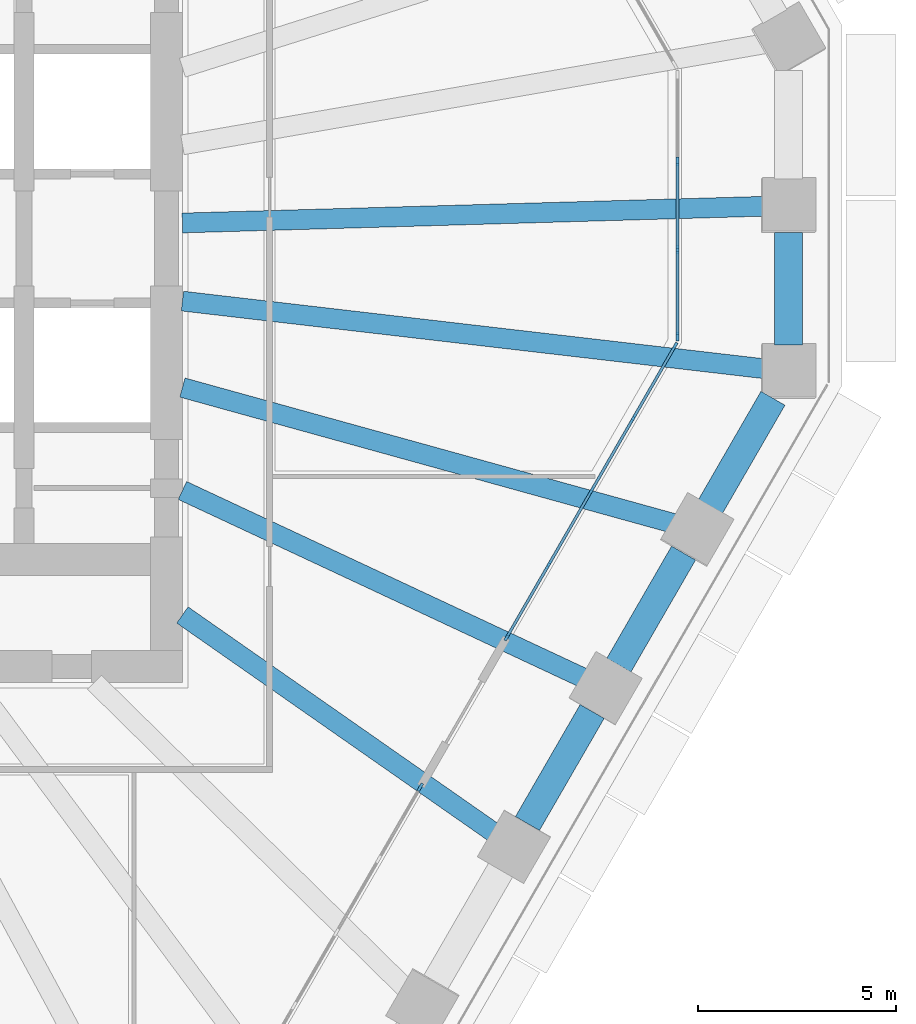
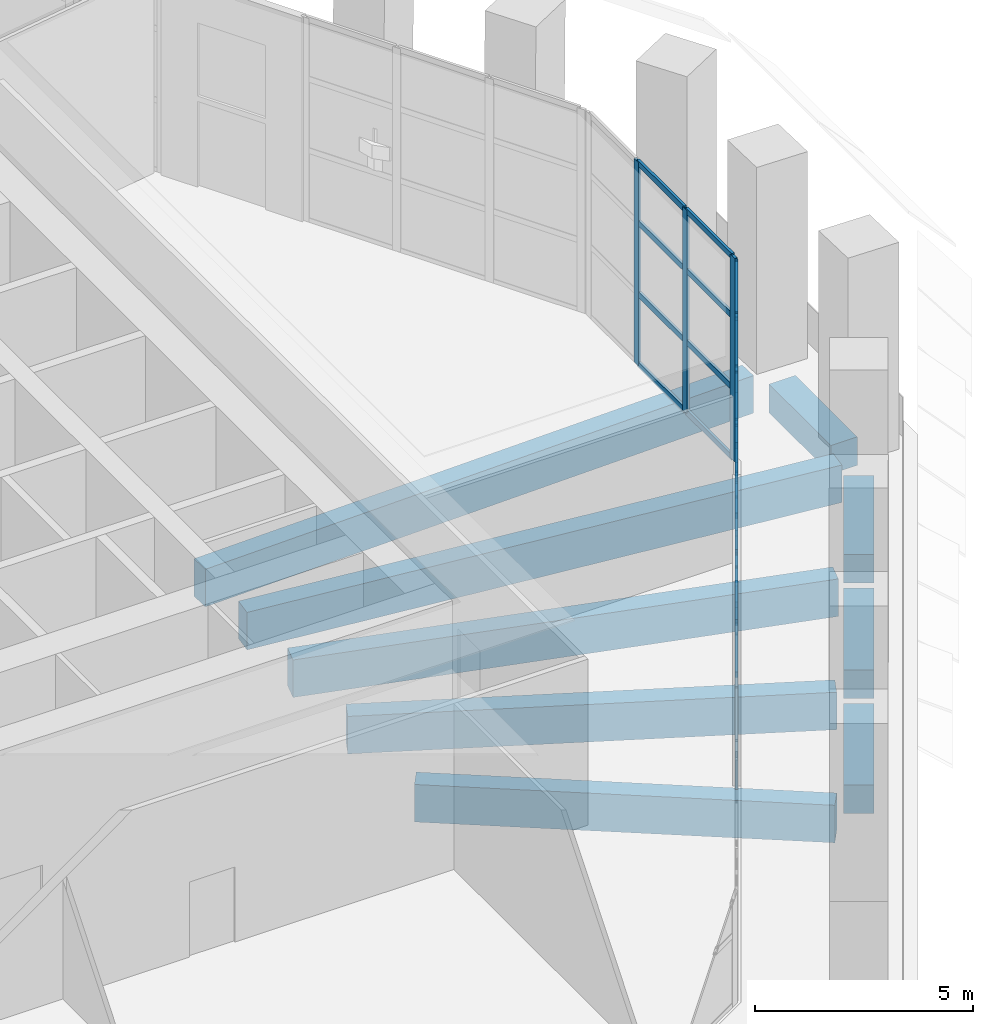
# One storey, part 5 of 22: 33 members, 9 beams, 3 elements without a shape of their own.
"""IFC4 building model written with IfcOpenShell, lengths in metres."""

from ifc_helpers import new_model, si_unit, direction, frame, origin, origin_2d, place, context, subcontext, project, spatial, rectangle, extrude, material, material_profile, profile_set, type_object, element, aggregate, save


model = new_model("IFC4")

# Units and contexts
model_context = context("Model", 3, precision=1e-05, world=origin(), true_north=direction((0.0, 1.0)))
body_context = subcontext(model_context, "Body", "Model", "MODEL_VIEW")
ifc_project = project(units=[si_unit("LENGTHUNIT", "METRE"), si_unit("AREAUNIT", "SQUARE_METRE"), si_unit("VOLUMEUNIT", "CUBIC_METRE"), si_unit("PLANEANGLEUNIT", "RADIAN"), si_unit("MASSUNIT", "GRAM", prefix="KILO")], contexts=[model_context])

# Site, building, storey
site_placement = place(None, origin())
site = spatial("IfcSite", under=ifc_project, at=site_placement, CompositionType="ELEMENT")
building_placement = place(site_placement, origin())
building = spatial("IfcBuilding", under=site, at=building_placement, Name="Frailejon Research Tower", CompositionType="ELEMENT")
storey_placement = place(building_placement, frame((0.0, 0.0, 107.199951171875)))
storey = spatial("IfcBuildingStorey", under=building, at=storey_placement, Name="L23", CompositionType="ELEMENT", Elevation=107.199951171875)

# Beams
ifc_material_1 = material(Name="Concrete C60/75", Category="concrete")
ifc_material_profile_1 = material_profile(ifc_material_1, rectangle(XDim=0.5, YDim=1.050048828125, at=origin_2d()), Name="Girder 500x1050")
ifc_profile_set_1 = profile_set([ifc_material_profile_1], Name="Concrete C60/75")
beam_type_1 = type_object("IfcBeamType", Name="Girder 500x1050", PredefinedType="BEAM", material=ifc_profile_set_1)
beam_1_placement = place(storey_placement, frame((28.36572265625, -3.296875, -0.824951171875), z_axis=(-0.993312199659, 0.11545940416, 0.0), x_axis=(-0.11545940416, -0.993312199659, 0.0)))
element("IfcBeam", 1, at=beam_1_placement, inside=storey, type_object=beam_type_1, Name="Girder 500x1050", PredefinedType="BEAM", context=body_context, shape_type="SweptSolid", body=[
    extrude(rectangle(XDim=0.5, YDim=1.050048828125, at=origin_2d()), origin(), (0.0, 0.0, 1.0), 14.864990234375),
])
beam_2_placement = place(storey_placement, frame((28.36669921875, 0.814697265625, -0.824951171875), z_axis=(-0.99958788341, -0.02870650343, 0.0), x_axis=(0.02870650343, -0.99958788341, 0.0)))
element("IfcBeam", 2, at=beam_2_placement, inside=storey, type_object=beam_type_1, Name="Girder 500x1050", PredefinedType="BEAM", context=body_context, shape_type="SweptSolid", body=[
    extrude(rectangle(XDim=0.5, YDim=1.050048828125, at=origin_2d()), origin(), (0.0, 0.0, 1.0), 14.772705078125),
])
beam_3_placement = place(storey_placement, frame((21.53662109375, -15.04638671875, -0.824951171875), z_axis=(-0.819748109744, 0.572724223838, 0.0), x_axis=(-0.572724223838, -0.819748109744, 0.0)))
element("IfcBeam", 3, at=beam_3_placement, inside=storey, type_object=beam_type_1, Name="Girder 500x1050", PredefinedType="BEAM", context=body_context, shape_type="SweptSolid", body=[
    extrude(rectangle(XDim=0.5, YDim=1.050048828125, at=origin_2d()), origin(), (0.0, 0.0, 1.0), 9.681640625),
])
beam_4_placement = place(storey_placement, frame((23.798828125, -11.128173828125, -0.824951171875), z_axis=(-0.905863227324, 0.423570316927, 0.0), x_axis=(-0.423570316927, -0.905863227324, 0.0)))
element("IfcBeam", 4, at=beam_4_placement, inside=storey, type_object=beam_type_1, Name="Girder 500x1050", PredefinedType="BEAM", context=body_context, shape_type="SweptSolid", body=[
    extrude(rectangle(XDim=0.5, YDim=1.050048828125, at=origin_2d()), origin(), (0.0, 0.0, 1.0), 11.258544921875),
])
beam_5_placement = place(storey_placement, frame((26.056640625, -7.208740234375, -0.824951171875), z_axis=(-0.963793976071, 0.266648029599, 0.0), x_axis=(-0.266648029599, -0.963793976071, 0.0)))
element("IfcBeam", 5, at=beam_5_placement, inside=storey, type_object=beam_type_1, Name="Girder 500x1050", PredefinedType="BEAM", context=body_context, shape_type="SweptSolid", body=[
    extrude(rectangle(XDim=0.5, YDim=1.050048828125, at=origin_2d()), origin(), (0.0, 0.0, 1.0), 12.924560546875),
])

# Curtain wall, members
ifc_material_2 = material(Name="Aluminium curtain wall", Category="aluminium")
curtain_wall_type = type_object("IfcCurtainWallType", Name="Sky lobby curtain wall system", PredefinedType="NOTDEFINED", material=ifc_material_2)
curtain_wall_1_placement = place(storey_placement, origin())
curtain_wall_1 = element("IfcCurtainWall", 6, at=curtain_wall_1_placement, inside=storey, type_object=curtain_wall_type, Name="Curtain wall L23", PredefinedType="NOTDEFINED")
ifc_material_3 = material(Name="Aluminium extrusion", Category="aluminium")
ifc_material_profile_2 = material_profile(ifc_material_3, rectangle(XDim=0.070068359375, YDim=0.219970703125, at=origin_2d()), Name="Sky lobby curtain wall mullion 70x220")
ifc_profile_set_2 = profile_set([ifc_material_profile_2], Name="Aluminium extrusion")
member_type_1 = type_object("IfcMemberType", Name="Sky lobby curtain wall mullion 70x220", PredefinedType="MULLION", material=ifc_profile_set_2)
member_1_placement = place(storey_placement, frame((26.091796875, -2.47265625, 0.0), z_axis=(0.0, 0.0, 1.0), x_axis=(-1.0, 0.0, 0.0)))
member_1 = element("IfcMember", 7, at=member_1_placement, type_object=member_type_1, Name="CW4-081 mullion 1", PredefinedType="MULLION", context=body_context, shape_type="SweptSolid", body=[
    extrude(rectangle(XDim=0.070068359375, YDim=0.219970703125, at=origin_2d()), origin(), (0.0, 0.0, 1.0), 5.699951171875),
])
member_2_placement = place(storey_placement, frame((26.091796875, -0.28271484375, 0.0), z_axis=(0.0, 0.0, 1.0), x_axis=(-1.0, 0.0, 0.0)))
member_2 = element("IfcMember", 8, at=member_2_placement, type_object=member_type_1, Name="CW4-081 mullion 2", PredefinedType="MULLION", context=body_context, shape_type="SweptSolid", body=[
    extrude(rectangle(XDim=0.070068359375, YDim=0.219970703125, at=origin_2d()), origin(), (0.0, 0.0, 1.0), 5.699951171875),
])
member_3_placement = place(storey_placement, frame((26.091796875, 1.942138671875, 0.0), z_axis=(0.0, 0.0, 1.0), x_axis=(-1.0, 0.0, 0.0)))
member_3 = element("IfcMember", 9, at=member_3_placement, type_object=member_type_1, Name="CW4-081 mullion 3", PredefinedType="MULLION", context=body_context, shape_type="SweptSolid", body=[
    extrude(rectangle(XDim=0.070068359375, YDim=0.219970703125, at=origin_2d()), origin(), (0.0, 0.0, 1.0), 5.699951171875),
])

# Curtain wall, member
curtain_wall_2_placement = place(storey_placement, origin())
curtain_wall_2 = element("IfcCurtainWall", 10, at=curtain_wall_2_placement, inside=storey, type_object=curtain_wall_type, Name="Curtain wall L23", PredefinedType="NOTDEFINED")
member_4_placement = place(storey_placement, frame((19.601806640625, -13.848876953125, 0.0), z_axis=(0.0, 0.0, 1.0), x_axis=(-0.866025500668, 0.499999832193, 0.0)))
member_4 = element("IfcMember", 11, at=member_4_placement, type_object=member_type_1, Name="CW4-097 mullion 5", PredefinedType="MULLION", context=body_context, shape_type="SweptSolid", body=[
    extrude(rectangle(XDim=0.070068359375, YDim=0.219970703125, at=origin_2d()), origin(), (0.0, 0.0, 1.0), 5.699951171875),
])
aggregate(curtain_wall_2, [member_4])

# Curtain wall, members
curtain_wall_3_placement = place(storey_placement, origin())
curtain_wall_3 = element("IfcCurtainWall", 12, at=curtain_wall_3_placement, inside=storey, type_object=curtain_wall_type, Name="Curtain wall L23", PredefinedType="NOTDEFINED")
member_5_placement = place(storey_placement, frame((21.794189453125, -10.05126953125, 0.0), z_axis=(0.0, 0.0, 1.0), x_axis=(-0.866025500668, 0.499999832193, 0.0)))
member_5 = element("IfcMember", 13, at=member_5_placement, type_object=member_type_1, Name="CW4-098 mullion 1", PredefinedType="MULLION", context=body_context, shape_type="SweptSolid", body=[
    extrude(rectangle(XDim=0.070068359375, YDim=0.219970703125, at=origin_2d()), origin(), (0.0, 0.0, 1.0), 5.699951171875),
])
member_6_placement = place(storey_placement, frame((22.843017578125, -8.234619140625, 0.0), z_axis=(0.0, 0.0, 1.0), x_axis=(-0.866025500668, 0.499999832193, 0.0)))
member_6 = element("IfcMember", 14, at=member_6_placement, type_object=member_type_1, Name="CW4-098 mullion 2", PredefinedType="MULLION", context=body_context, shape_type="SweptSolid", body=[
    extrude(rectangle(XDim=0.070068359375, YDim=0.219970703125, at=origin_2d()), origin(), (0.0, 0.0, 1.0), 5.699951171875),
])
member_7_placement = place(storey_placement, frame((23.9091796875, -6.387939453125, 0.0), z_axis=(0.0, 0.0, 1.0), x_axis=(-0.866025500668, 0.499999832193, 0.0)))
member_7 = element("IfcMember", 15, at=member_7_placement, type_object=member_type_1, Name="CW4-098 mullion 3", PredefinedType="MULLION", context=body_context, shape_type="SweptSolid", body=[
    extrude(rectangle(XDim=0.070068359375, YDim=0.219970703125, at=origin_2d()), origin(), (0.0, 0.0, 1.0), 5.699951171875),
])
member_8_placement = place(storey_placement, frame((24.9755859375, -4.541015625, 0.0), z_axis=(0.0, 0.0, 1.0), x_axis=(-0.866025500668, 0.499999832193, 0.0)))
member_8 = element("IfcMember", 16, at=member_8_placement, type_object=member_type_1, Name="CW4-098 mullion 4", PredefinedType="MULLION", context=body_context, shape_type="SweptSolid", body=[
    extrude(rectangle(XDim=0.070068359375, YDim=0.219970703125, at=origin_2d()), origin(), (0.0, 0.0, 1.0), 5.699951171875),
])
member_9_placement = place(storey_placement, frame((26.0244140625, -2.724609375, 0.0), z_axis=(0.0, 0.0, 1.0), x_axis=(-0.866025500668, 0.499999832193, 0.0)))
member_9 = element("IfcMember", 17, at=member_9_placement, type_object=member_type_1, Name="CW4-098 mullion 5", PredefinedType="MULLION", context=body_context, shape_type="SweptSolid", body=[
    extrude(rectangle(XDim=0.070068359375, YDim=0.219970703125, at=origin_2d()), origin(), (0.0, 0.0, 1.0), 5.699951171875),
])

# Member
ifc_material_4 = material(Name="Aluminium extrusion", Category="aluminium")
ifc_material_profile_3 = material_profile(ifc_material_4, rectangle(XDim=0.070068359375, YDim=0.159912109375, at=origin_2d()), Name="Sky lobby curtain wall transom 70x160")
ifc_profile_set_3 = profile_set([ifc_material_profile_3], Name="Aluminium extrusion")
member_type_2 = type_object("IfcMemberType", Name="Sky lobby curtain wall transom 70x160", PredefinedType="USERDEFINED", material=ifc_profile_set_3)
member_10_placement = place(storey_placement, frame((26.091796875, -2.437744140625, 0.03515625), z_axis=(0.0, 1.0, 0.0), x_axis=(-1.0, 0.0, 0.0)))
member_10 = element("IfcMember", 18, at=member_10_placement, type_object=member_type_2, Name="CW4-081 transom 1.1", ObjectType="TRANSOM", PredefinedType="USERDEFINED", context=body_context, shape_type="SweptSolid", body=[
    extrude(rectangle(XDim=0.070068359375, YDim=0.159912109375, at=origin_2d()), origin(), (0.0, 0.0, 1.0), 2.119873046875),
])

member_11_placement = place(storey_placement, frame((26.091796875, -2.437744140625, 2.0), z_axis=(0.0, 1.0, 0.0), x_axis=(-1.0, 0.0, 0.0)))
member_11 = element("IfcMember", 19, at=member_11_placement, type_object=member_type_2, Name="CW4-081 transom 1.2", ObjectType="TRANSOM", PredefinedType="USERDEFINED", context=body_context, shape_type="SweptSolid", body=[
    extrude(rectangle(XDim=0.070068359375, YDim=0.159912109375, at=origin_2d()), origin(), (0.0, 0.0, 1.0), 2.119873046875),
])

member_12_placement = place(storey_placement, frame((26.091796875, -2.437744140625, 4.0), z_axis=(0.0, 1.0, 0.0), x_axis=(-1.0, 0.0, 0.0)))
member_12 = element("IfcMember", 20, at=member_12_placement, type_object=member_type_2, Name="CW4-081 transom 1.3", ObjectType="TRANSOM", PredefinedType="USERDEFINED", context=body_context, shape_type="SweptSolid", body=[
    extrude(rectangle(XDim=0.070068359375, YDim=0.159912109375, at=origin_2d()), origin(), (0.0, 0.0, 1.0), 2.119873046875),
])

member_13_placement = place(storey_placement, frame((26.091796875, -2.437744140625, 5.6650390625), z_axis=(0.0, 1.0, 0.0), x_axis=(-1.0, 0.0, 0.0)))
member_13 = element("IfcMember", 21, at=member_13_placement, type_object=member_type_2, Name="CW4-081 transom 1.4", ObjectType="TRANSOM", PredefinedType="USERDEFINED", context=body_context, shape_type="SweptSolid", body=[
    extrude(rectangle(XDim=0.070068359375, YDim=0.159912109375, at=origin_2d()), origin(), (0.0, 0.0, 1.0), 2.119873046875),
])

member_14_placement = place(storey_placement, frame((26.091796875, -0.247802734375, 0.03515625), z_axis=(0.0, 1.0, 0.0), x_axis=(-1.0, 0.0, 0.0)))
member_14 = element("IfcMember", 22, at=member_14_placement, type_object=member_type_2, Name="CW4-081 transom 2.1", ObjectType="TRANSOM", PredefinedType="USERDEFINED", context=body_context, shape_type="SweptSolid", body=[
    extrude(rectangle(XDim=0.070068359375, YDim=0.159912109375, at=origin_2d()), origin(), (0.0, 0.0, 1.0), 2.15478515625),
])

member_15_placement = place(storey_placement, frame((26.091796875, -0.247802734375, 2.0), z_axis=(0.0, 1.0, 0.0), x_axis=(-1.0, 0.0, 0.0)))
member_15 = element("IfcMember", 23, at=member_15_placement, type_object=member_type_2, Name="CW4-081 transom 2.2", ObjectType="TRANSOM", PredefinedType="USERDEFINED", context=body_context, shape_type="SweptSolid", body=[
    extrude(rectangle(XDim=0.070068359375, YDim=0.159912109375, at=origin_2d()), origin(), (0.0, 0.0, 1.0), 2.15478515625),
])

member_16_placement = place(storey_placement, frame((26.091796875, -0.247802734375, 4.0), z_axis=(0.0, 1.0, 0.0), x_axis=(-1.0, 0.0, 0.0)))
member_16 = element("IfcMember", 24, at=member_16_placement, type_object=member_type_2, Name="CW4-081 transom 2.3", ObjectType="TRANSOM", PredefinedType="USERDEFINED", context=body_context, shape_type="SweptSolid", body=[
    extrude(rectangle(XDim=0.070068359375, YDim=0.159912109375, at=origin_2d()), origin(), (0.0, 0.0, 1.0), 2.15478515625),
])

member_17_placement = place(storey_placement, frame((26.091796875, -0.247802734375, 5.6650390625), z_axis=(0.0, 1.0, 0.0), x_axis=(-1.0, 0.0, 0.0)))
member_17 = element("IfcMember", 25, at=member_17_placement, type_object=member_type_2, Name="CW4-081 transom 2.4", ObjectType="TRANSOM", PredefinedType="USERDEFINED", context=body_context, shape_type="SweptSolid", body=[
    extrude(rectangle(XDim=0.070068359375, YDim=0.159912109375, at=origin_2d()), origin(), (0.0, 0.0, 1.0), 2.15478515625),
])

aggregate(curtain_wall_1, [member_1, member_2, member_3, member_10, member_11, member_12, member_13, member_14, member_15, member_16, member_17])

member_18_placement = place(storey_placement, frame((21.811767578125, -10.02099609375, 0.03515625), z_axis=(0.49992048685, 0.866071305856, 0.0), x_axis=(-0.866071305856, 0.49992048685, 0.0)))
member_18 = element("IfcMember", 26, at=member_18_placement, type_object=member_type_2, Name="CW4-098 transom 1.1", ObjectType="TRANSOM", PredefinedType="USERDEFINED", context=body_context, shape_type="SweptSolid", body=[
    extrude(rectangle(XDim=0.070068359375, YDim=0.159912109375, at=origin_2d()), origin(), (0.0, 0.0, 1.0), 2.027587890625),
])

member_19_placement = place(storey_placement, frame((21.811767578125, -10.02099609375, 2.0), z_axis=(0.49992048685, 0.866071305856, 0.0), x_axis=(-0.866071305856, 0.49992048685, 0.0)))
member_19 = element("IfcMember", 27, at=member_19_placement, type_object=member_type_2, Name="CW4-098 transom 1.2", ObjectType="TRANSOM", PredefinedType="USERDEFINED", context=body_context, shape_type="SweptSolid", body=[
    extrude(rectangle(XDim=0.070068359375, YDim=0.159912109375, at=origin_2d()), origin(), (0.0, 0.0, 1.0), 2.027587890625),
])

member_20_placement = place(storey_placement, frame((21.811767578125, -10.02099609375, 4.0), z_axis=(0.49992048685, 0.866071305856, 0.0), x_axis=(-0.866071305856, 0.49992048685, 0.0)))
member_20 = element("IfcMember", 28, at=member_20_placement, type_object=member_type_2, Name="CW4-098 transom 1.3", ObjectType="TRANSOM", PredefinedType="USERDEFINED", context=body_context, shape_type="SweptSolid", body=[
    extrude(rectangle(XDim=0.070068359375, YDim=0.159912109375, at=origin_2d()), origin(), (0.0, 0.0, 1.0), 2.027587890625),
])

member_21_placement = place(storey_placement, frame((21.811767578125, -10.02099609375, 5.6650390625), z_axis=(0.49992048685, 0.866071305856, 0.0), x_axis=(-0.866071305856, 0.49992048685, 0.0)))
member_21 = element("IfcMember", 29, at=member_21_placement, type_object=member_type_2, Name="CW4-098 transom 1.4", ObjectType="TRANSOM", PredefinedType="USERDEFINED", context=body_context, shape_type="SweptSolid", body=[
    extrude(rectangle(XDim=0.070068359375, YDim=0.159912109375, at=origin_2d()), origin(), (0.0, 0.0, 1.0), 2.027587890625),
])

member_22_placement = place(storey_placement, frame((22.860595703125, -8.204345703125, 0.03515625), z_axis=(0.500009360108, 0.866019999656, 0.0), x_axis=(-0.866019999656, 0.500009360108, 0.0)))
member_22 = element("IfcMember", 30, at=member_22_placement, type_object=member_type_2, Name="CW4-098 transom 2.1", ObjectType="TRANSOM", PredefinedType="USERDEFINED", context=body_context, shape_type="SweptSolid", body=[
    extrude(rectangle(XDim=0.070068359375, YDim=0.159912109375, at=origin_2d()), origin(), (0.0, 0.0, 1.0), 2.0625),
])

member_23_placement = place(storey_placement, frame((22.860595703125, -8.204345703125, 2.0), z_axis=(0.500009360108, 0.866019999656, 0.0), x_axis=(-0.866019999656, 0.500009360108, 0.0)))
member_23 = element("IfcMember", 31, at=member_23_placement, type_object=member_type_2, Name="CW4-098 transom 2.2", ObjectType="TRANSOM", PredefinedType="USERDEFINED", context=body_context, shape_type="SweptSolid", body=[
    extrude(rectangle(XDim=0.070068359375, YDim=0.159912109375, at=origin_2d()), origin(), (0.0, 0.0, 1.0), 2.0625),
])

member_24_placement = place(storey_placement, frame((22.860595703125, -8.204345703125, 4.0), z_axis=(0.500009360108, 0.866019999656, 0.0), x_axis=(-0.866019999656, 0.500009360108, 0.0)))
member_24 = element("IfcMember", 32, at=member_24_placement, type_object=member_type_2, Name="CW4-098 transom 2.3", ObjectType="TRANSOM", PredefinedType="USERDEFINED", context=body_context, shape_type="SweptSolid", body=[
    extrude(rectangle(XDim=0.070068359375, YDim=0.159912109375, at=origin_2d()), origin(), (0.0, 0.0, 1.0), 2.0625),
])

member_25_placement = place(storey_placement, frame((22.860595703125, -8.204345703125, 5.6650390625), z_axis=(0.500009360108, 0.866019999656, 0.0), x_axis=(-0.866019999656, 0.500009360108, 0.0)))
member_25 = element("IfcMember", 33, at=member_25_placement, type_object=member_type_2, Name="CW4-098 transom 2.4", ObjectType="TRANSOM", PredefinedType="USERDEFINED", context=body_context, shape_type="SweptSolid", body=[
    extrude(rectangle(XDim=0.070068359375, YDim=0.159912109375, at=origin_2d()), origin(), (0.0, 0.0, 1.0), 2.0625),
])

member_26_placement = place(storey_placement, frame((23.9267578125, -6.357666015625, 0.03515625), z_axis=(0.499958106649, 0.866049589571, 0.0), x_axis=(-0.866049589571, 0.499958106649, 0.0)))
member_26 = element("IfcMember", 34, at=member_26_placement, type_object=member_type_2, Name="CW4-098 transom 3.1", ObjectType="TRANSOM", PredefinedType="USERDEFINED", context=body_context, shape_type="SweptSolid", body=[
    extrude(rectangle(XDim=0.070068359375, YDim=0.159912109375, at=origin_2d()), origin(), (0.0, 0.0, 1.0), 2.062744140625),
])

member_27_placement = place(storey_placement, frame((23.9267578125, -6.357666015625, 2.0), z_axis=(0.499958106649, 0.866049589571, 0.0), x_axis=(-0.866049589571, 0.499958106649, 0.0)))
member_27 = element("IfcMember", 35, at=member_27_placement, type_object=member_type_2, Name="CW4-098 transom 3.2", ObjectType="TRANSOM", PredefinedType="USERDEFINED", context=body_context, shape_type="SweptSolid", body=[
    extrude(rectangle(XDim=0.070068359375, YDim=0.159912109375, at=origin_2d()), origin(), (0.0, 0.0, 1.0), 2.062744140625),
])

member_28_placement = place(storey_placement, frame((23.9267578125, -6.357666015625, 4.0), z_axis=(0.499958106649, 0.866049589571, 0.0), x_axis=(-0.866049589571, 0.499958106649, 0.0)))
member_28 = element("IfcMember", 36, at=member_28_placement, type_object=member_type_2, Name="CW4-098 transom 3.3", ObjectType="TRANSOM", PredefinedType="USERDEFINED", context=body_context, shape_type="SweptSolid", body=[
    extrude(rectangle(XDim=0.070068359375, YDim=0.159912109375, at=origin_2d()), origin(), (0.0, 0.0, 1.0), 2.062744140625),
])

member_29_placement = place(storey_placement, frame((23.9267578125, -6.357666015625, 5.6650390625), z_axis=(0.499958106649, 0.866049589571, 0.0), x_axis=(-0.866049589571, 0.499958106649, 0.0)))
member_29 = element("IfcMember", 37, at=member_29_placement, type_object=member_type_2, Name="CW4-098 transom 3.4", ObjectType="TRANSOM", PredefinedType="USERDEFINED", context=body_context, shape_type="SweptSolid", body=[
    extrude(rectangle(XDim=0.070068359375, YDim=0.159912109375, at=origin_2d()), origin(), (0.0, 0.0, 1.0), 2.062744140625),
])

member_30_placement = place(storey_placement, frame((24.9931640625, -4.5107421875, 0.03515625), z_axis=(0.499972622635, 0.866041209536, 0.0), x_axis=(-0.866041209536, 0.499972622635, 0.0)))
member_30 = element("IfcMember", 38, at=member_30_placement, type_object=member_type_2, Name="CW4-098 transom 4.1", ObjectType="TRANSOM", PredefinedType="USERDEFINED", context=body_context, shape_type="SweptSolid", body=[
    extrude(rectangle(XDim=0.070068359375, YDim=0.159912109375, at=origin_2d()), origin(), (0.0, 0.0, 1.0), 2.02734375),
])

member_31_placement = place(storey_placement, frame((24.9931640625, -4.5107421875, 2.0), z_axis=(0.499972622635, 0.866041209536, 0.0), x_axis=(-0.866041209536, 0.499972622635, 0.0)))
member_31 = element("IfcMember", 39, at=member_31_placement, type_object=member_type_2, Name="CW4-098 transom 4.2", ObjectType="TRANSOM", PredefinedType="USERDEFINED", context=body_context, shape_type="SweptSolid", body=[
    extrude(rectangle(XDim=0.070068359375, YDim=0.159912109375, at=origin_2d()), origin(), (0.0, 0.0, 1.0), 2.02734375),
])

member_32_placement = place(storey_placement, frame((24.9931640625, -4.5107421875, 4.0), z_axis=(0.499972622635, 0.866041209536, 0.0), x_axis=(-0.866041209536, 0.499972622635, 0.0)))
member_32 = element("IfcMember", 40, at=member_32_placement, type_object=member_type_2, Name="CW4-098 transom 4.3", ObjectType="TRANSOM", PredefinedType="USERDEFINED", context=body_context, shape_type="SweptSolid", body=[
    extrude(rectangle(XDim=0.070068359375, YDim=0.159912109375, at=origin_2d()), origin(), (0.0, 0.0, 1.0), 2.02734375),
])

member_33_placement = place(storey_placement, frame((24.9931640625, -4.5107421875, 5.6650390625), z_axis=(0.499972622635, 0.866041209536, 0.0), x_axis=(-0.866041209536, 0.499972622635, 0.0)))
member_33 = element("IfcMember", 41, at=member_33_placement, type_object=member_type_2, Name="CW4-098 transom 4.4", ObjectType="TRANSOM", PredefinedType="USERDEFINED", context=body_context, shape_type="SweptSolid", body=[
    extrude(rectangle(XDim=0.070068359375, YDim=0.159912109375, at=origin_2d()), origin(), (0.0, 0.0, 1.0), 2.02734375),
])

aggregate(curtain_wall_3, [member_5, member_6, member_7, member_8, member_9, member_18, member_19, member_20, member_21, member_22, member_23, member_24, member_25, member_26, member_27, member_28, member_29, member_30, member_31, member_32, member_33])

# Beams
ifc_material_5 = material(Name="Concrete C60/75", Category="concrete")
ifc_material_profile_4 = material_profile(ifc_material_5, rectangle(XDim=0.699951171875, YDim=0.800048828125, at=origin_2d()), Name="Spandrel 700x800")
ifc_profile_set_4 = profile_set([ifc_material_profile_4], Name="Concrete C60/75")
beam_type_2 = type_object("IfcBeamType", Name="Spandrel 700x800", PredefinedType="BEAM", material=ifc_profile_set_4)
beam_6_placement = place(storey_placement, frame((28.891845703125, -2.682861328125, -0.75), z_axis=(0.0, 1.0, 0.0), x_axis=(-1.0, 0.0, 0.0)))
element("IfcBeam", 42, at=beam_6_placement, inside=storey, type_object=beam_type_2, Name="Spandrel 700x800", PredefinedType="BEAM", context=body_context, shape_type="SweptSolid", body=[
    extrude(rectangle(XDim=0.699951171875, YDim=0.800048828125, at=origin_2d()), origin(), (0.0, 0.0, 1.0), 2.837646484375),
])
for number, where, z_axis, x_axis, name in (
    (43, (22.306640625, -14.763916015625, -0.75), (0.500007244493, 0.866021221134, 0.0), (-0.866021221134, 0.500007244493, 0.0), "Spandrel 700x800"),
    (44, (24.6142578125, -10.76708984375, -0.75), (0.499918787092, 0.866072287001, 0.0), (-0.866072287001, 0.499918787092, 0.0), "Spandrel 700x800"),
):
    element("IfcBeam", number, at=place(storey_placement, frame(where, z_axis=z_axis, x_axis=x_axis)), inside=storey, type_object=beam_type_2, Name=name, PredefinedType="BEAM", context=body_context, shape_type="SweptSolid", body=[
        extrude(rectangle(XDim=0.699951171875, YDim=0.800048828125, at=origin_2d()), origin(), (0.0, 0.0, 1.0), 3.26513671875),
    ])
beam_7_placement = place(storey_placement, frame((26.921630859375, -6.77001953125, -0.75), z_axis=(0.500076824717, 0.86598104447, 0.0), x_axis=(-0.86598104447, 0.500076824717, 0.0)))
element("IfcBeam", 45, at=beam_7_placement, inside=storey, type_object=beam_type_2, Name="Spandrel 700x800", PredefinedType="BEAM", context=body_context, shape_type="SweptSolid", body=[
    extrude(rectangle(XDim=0.699951171875, YDim=0.800048828125, at=origin_2d()), origin(), (0.0, 0.0, 1.0), 3.16064453125),
])

save(model, "model.ifc")
